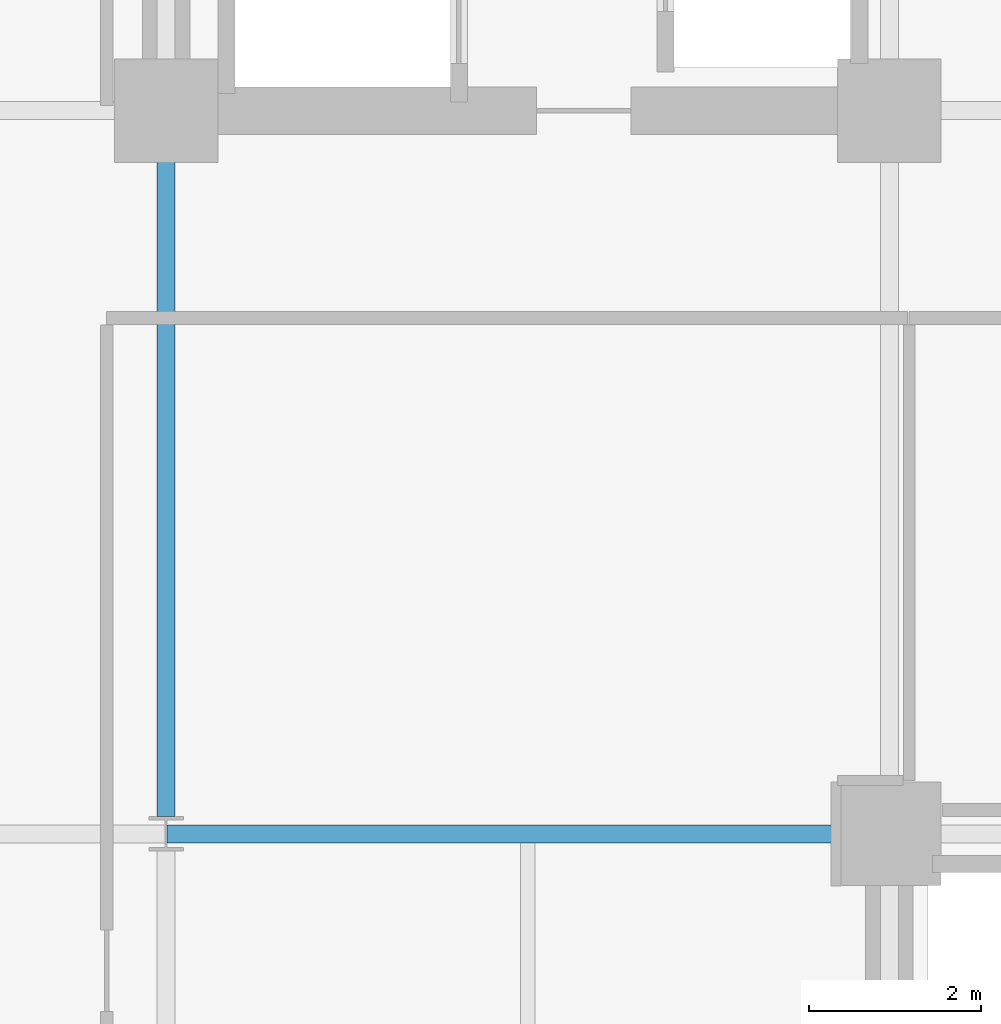
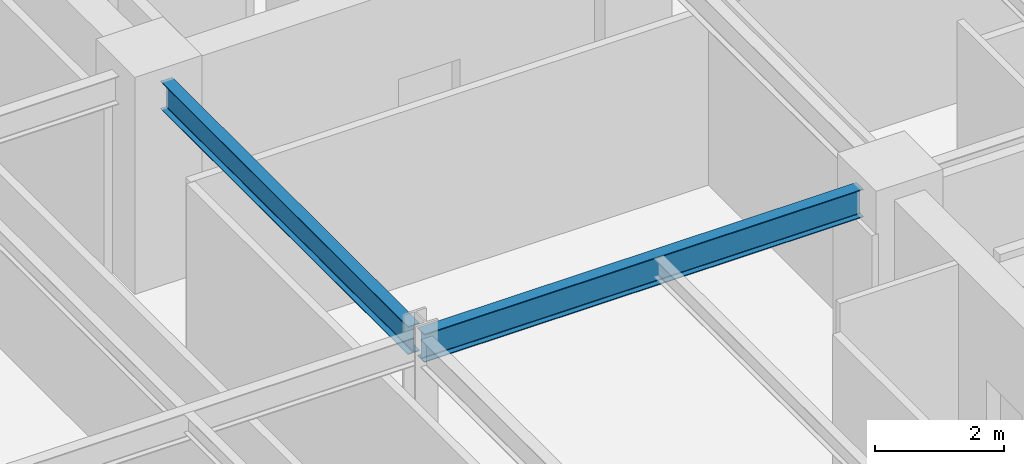
# One storey, part 12 of 38: 2 beams.
"""IFC4 building model written with IfcOpenShell, lengths in metres."""

from ifc_helpers import new_model, si_unit, direction, frame, origin, origin_2d, place, context, subcontext, project, spatial, i_section, extrude, material, material_profile, profile_set, type_object, element, save


model = new_model("IFC4")

# Units and contexts
model_context = context("Model", 3, precision=1e-05, world=origin(), true_north=direction((0.0, 1.0)))
body_context = subcontext(model_context, "Body", "Model", "MODEL_VIEW")
ifc_project = project(units=[si_unit("LENGTHUNIT", "METRE"), si_unit("AREAUNIT", "SQUARE_METRE"), si_unit("VOLUMEUNIT", "CUBIC_METRE"), si_unit("PLANEANGLEUNIT", "RADIAN"), si_unit("MASSUNIT", "GRAM", prefix="KILO")], contexts=[model_context])

# Site, building, storey
site_placement = place(None, origin())
site = spatial("IfcSite", under=ifc_project, at=site_placement, CompositionType="ELEMENT")
building_placement = place(site_placement, origin())
building = spatial("IfcBuilding", under=site, at=building_placement, Name="Nerrivon Quay Data Exchange", CompositionType="ELEMENT")
storey_placement = place(building_placement, frame((0.0, 0.0, 84.39990234375)))
storey = spatial("IfcBuildingStorey", under=building, at=storey_placement, Name="L19", CompositionType="ELEMENT", Elevation=84.39990234375)

# Beams
ifc_material = material(Name="Steel Grade 350", Category="steel")
ifc_material_profile_1 = material_profile(ifc_material, i_section(OverallWidth=0.208984375, OverallDepth=0.532958984375, WebThickness=0.01025390625, FlangeThickness=0.015625, FilletRadius=0.013916015625, at=origin_2d()), Name="530UB92.4")
ifc_profile_set_1 = profile_set([ifc_material_profile_1], Name="Steel Grade 350")
beam_type_1 = type_object("IfcBeamType", Name="BM-G3-530UB92", PredefinedType="BEAM", material=ifc_profile_set_1)
beam_1_placement = place(storey_placement, frame((8.41259765625, 16.800048828125, 3.55859375), z_axis=(1.0, 0.0, 0.0), x_axis=(0.0, 1.0, 0.0)))
element("IfcBeam", 1, at=beam_1_placement, inside=storey, type_object=beam_type_1, Name="L19 EW Girder Y=16.8 (8.4..16.8)", PredefinedType="BEAM", context=body_context, shape_type="SweptSolid", body=[
    extrude(i_section(OverallWidth=0.208984375, OverallDepth=0.532958984375, WebThickness=0.01025390625, FlangeThickness=0.015625, FilletRadius=0.013916015625, at=origin_2d()), origin(), (0.0, 0.0, 1.0), 7.847412109375),
])
ifc_material_profile_2 = material_profile(ifc_material, i_section(OverallWidth=0.208984375, OverallDepth=0.528076171875, WebThickness=0.009521484375, FlangeThickness=0.01318359375, FilletRadius=0.013916015625, at=origin_2d()), Name="530UB82.0")
ifc_profile_set_2 = profile_set([ifc_material_profile_2], Name="Steel Grade 350")
beam_type_2 = type_object("IfcBeamType", Name="BM-G4-530UB82", PredefinedType="BEAM", material=ifc_profile_set_2)
beam_2_placement = place(storey_placement, frame((8.39990234375, 17.0, 3.56103515625), z_axis=(0.0, 1.0, 0.0), x_axis=(-1.0, 0.0, 0.0)))
element("IfcBeam", 2, at=beam_2_placement, inside=storey, type_object=beam_type_2, Name="L19 NS Girder X=8.4 (16.8..25.2)", PredefinedType="BEAM", context=body_context, shape_type="SweptSolid", body=[
    extrude(i_section(OverallWidth=0.208984375, OverallDepth=0.528076171875, WebThickness=0.009521484375, FlangeThickness=0.01318359375, FilletRadius=0.013916015625, at=origin_2d()), origin(), (0.0, 0.0, 1.0), 7.659912109375),
])

save(model, "model.ifc")
